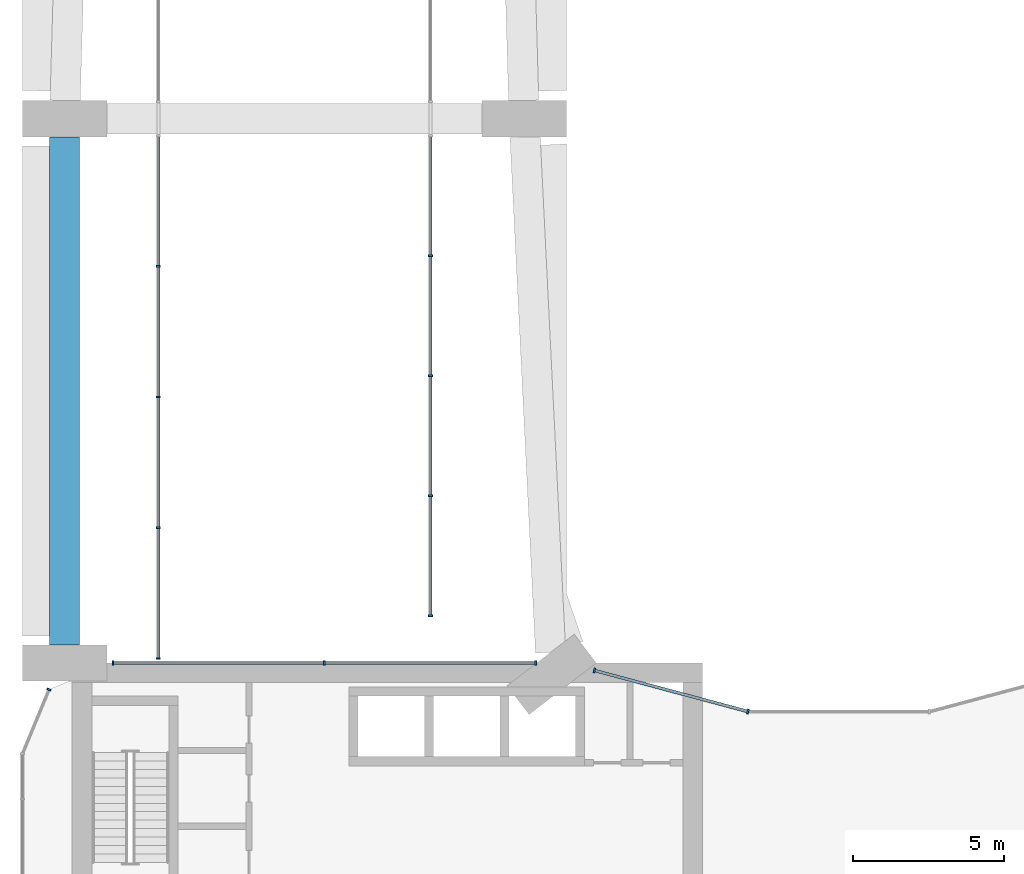
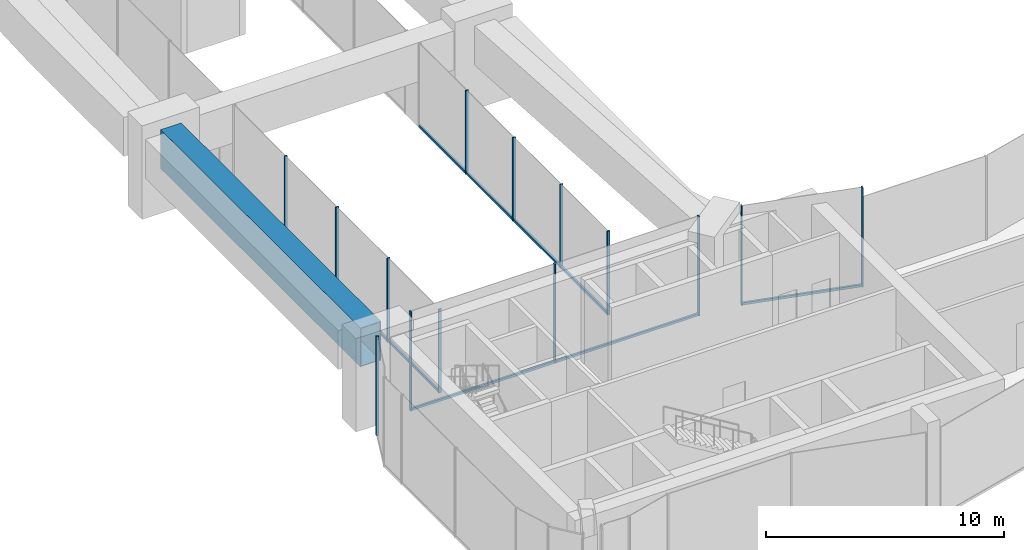
# One storey, part 4 of 13: 18 members, 1 beam, 5 elements without a shape of their own.
"""IFC4 building model written with IfcOpenShell, lengths in metres."""

import ifcopenshell
import ifcopenshell.guid

model = None  # the IFC model being written
_history = None  # IfcOwnerHistory: only IFC2X3 demands one
_inside = {}  # id of a spatial element -> (the spatial element, [elements in it])
_under = {}  # id of a project, library or spatial element -> (it, [spatial elements below it])
_declared = {}  # id of a project -> (the project, [libraries it declares])
_typed = {}  # id of a type object -> (the type object, [elements of that type])
_made_of = {}  # id of a material, layer set ... -> (it, [elements and type objects made of it])


def new_model(schema):
    """Start an empty IFC model of exactly this schema.

    Asked for "IFC4X3", IfcOpenShell would pick the latest addendum, in which some entities
    have other attributes; the version numbers below select the first issue.
    IFC2X3 requires an IfcOwnerHistory on every rooted entity: one is made here for all.
    """
    global model, _history
    if schema == "IFC4X3":
        model = ifcopenshell.file(schema_version=(4, 3, 0, 0))
    else:
        model = ifcopenshell.file(schema=schema)
    _inside.clear()
    _under.clear()
    _declared.clear()
    _typed.clear()
    _made_of.clear()
    _history = None
    if model.schema == "IFC2X3":
        org = make("IfcOrganization", Name="unknown")
        user = make(
            "IfcPersonAndOrganization",
            ThePerson=make("IfcPerson", FamilyName="unknown"),
            TheOrganization=org,
        )
        app = make(
            "IfcApplication",
            ApplicationDeveloper=org,
            Version="unknown",
            ApplicationFullName="unknown",
            ApplicationIdentifier="unknown",
        )
        _history = make(
            "IfcOwnerHistory",
            OwningUser=user,
            OwningApplication=app,
            ChangeAction="ADDED",
            CreationDate=0,
        )
    return model


def make(cls, **values):
    """One entity of the class cls with the attributes given. An attribute that is None is left unset."""
    return model.create_entity(
        cls, **{name: value for name, value in values.items() if value is not None}
    )


def rooted(cls, **values):
    """An entity with a GlobalId (a new one), such as an element, a storey or a relation."""
    return make(cls, GlobalId=ifcopenshell.guid.new(), OwnerHistory=_history, **values)


def si_unit(unit_type, name, prefix=None):
    """IfcSIUnit, for example si_unit("LENGTHUNIT", "METRE", prefix="MILLI")."""
    return make("IfcSIUnit", UnitType=unit_type, Prefix=prefix, Name=name)


def assignment(units):
    """IfcUnitAssignment: the units of a project."""
    return None if units is None else make("IfcUnitAssignment", Units=units)


def point(xyz):
    """IfcCartesianPoint."""
    return None if xyz is None else make("IfcCartesianPoint", Coordinates=xyz)


def direction(xyz):
    """IfcDirection."""
    return None if xyz is None else make("IfcDirection", DirectionRatios=xyz)


def frame(location, z_axis=None, x_axis=None):
    """IfcAxis2Placement3D, a coordinate frame: its origin and axes. An axis left out is left unset."""
    return make(
        "IfcAxis2Placement3D",
        Location=point(location),
        Axis=direction(z_axis),
        RefDirection=direction(x_axis),
    )


def frame_2d(location, x_axis=None):
    """IfcAxis2Placement2D, a coordinate frame in the plane: its origin and x axis."""
    return make(
        "IfcAxis2Placement2D", Location=point(location), RefDirection=direction(x_axis)
    )


def origin():
    """The frame at (0, 0, 0) with its axes left unset."""
    return frame((0.0, 0.0, 0.0))


def origin_2d():
    """The frame at (0, 0) in the plane with its x axis left unset."""
    return frame_2d((0.0, 0.0))


def place(relative_to, where):
    """IfcLocalPlacement: puts the frame where relative to a parent placement (None: the world)."""
    return make(
        "IfcLocalPlacement", PlacementRelTo=relative_to, RelativePlacement=where
    )


def context(
    kind, dimensions, precision=None, world=None, true_north=None, identifier=None
):
    """IfcGeometricRepresentationContext, for example the 3D "Model" context."""
    return make(
        "IfcGeometricRepresentationContext",
        ContextIdentifier=identifier,
        ContextType=kind,
        CoordinateSpaceDimension=dimensions,
        Precision=precision,
        WorldCoordinateSystem=world,
        TrueNorth=true_north,
    )


def subcontext(parent, identifier, kind, view, scale=None):
    """IfcGeometricRepresentationSubContext, for example "Body" below "Model"."""
    return make(
        "IfcGeometricRepresentationSubContext",
        ContextIdentifier=identifier,
        ContextType=kind,
        ParentContext=parent,
        TargetScale=scale,
        TargetView=view,
    )


def project(units=None, contexts=None):
    """IfcProject with its units and contexts."""
    return rooted(
        "IfcProject",
        Name="project",
        RepresentationContexts=contexts,
        UnitsInContext=assignment(units),
    )


def spatial(cls, under=None, at=None, **own):
    """A site, building, storey or space (cls), placed at a placement, below another one or the project."""
    s = rooted(cls, ObjectPlacement=at, **own)
    if under is not None:
        _under.setdefault(under.id(), (under, []))[1].append(s)
    return s


def profile(cls, at=None, kind="AREA", **sizes):
    """A parametric profile (cls). Its sizes go by their IFC names, for example OverallWidth=200.0."""
    return make(cls, ProfileType=kind, Position=at, **sizes)


def rectangle(**sizes):
    """IfcRectangleProfileDef."""
    return profile("IfcRectangleProfileDef", **sizes)


def hollow_rectangle(**sizes):
    """IfcRectangleHollowProfileDef."""
    return profile("IfcRectangleHollowProfileDef", **sizes)


def extrude(swept, where, along, depth):
    """IfcExtrudedAreaSolid: the profile swept, set in the frame where, extruded along a direction by depth."""
    return make(
        "IfcExtrudedAreaSolid",
        SweptArea=swept,
        Position=where,
        ExtrudedDirection=direction(along),
        Depth=depth,
    )


def shape(context_of_items, identifier, shape_type, items):
    """IfcShapeRepresentation: the items that make up one representation, for example the "Body"."""
    return make(
        "IfcShapeRepresentation",
        ContextOfItems=context_of_items,
        RepresentationIdentifier=identifier,
        RepresentationType=shape_type,
        Items=items,
    )


def material(Name=None, Category=None):
    """IfcMaterial."""
    return make("IfcMaterial", Name=Name, Category=Category)


def layer(
    of_material, thickness, ventilated=None, Name=None, Category=None, Priority=None
):
    """IfcMaterialLayer: one layer of a wall or slab, of a material (None: an air gap)."""
    return make(
        "IfcMaterialLayer",
        Material=of_material,
        LayerThickness=thickness,
        IsVentilated=ventilated,
        Name=Name,
        Category=Category,
        Priority=Priority,
    )


def layer_set(layers, Name=None):
    """IfcMaterialLayerSet."""
    return make("IfcMaterialLayerSet", MaterialLayers=layers, LayerSetName=Name)


def material_profile(
    of_material, cross_section, Name=None, Category=None, Priority=None
):
    """IfcMaterialProfile: a cross section and its material."""
    return make(
        "IfcMaterialProfile",
        Name=Name,
        Material=of_material,
        Profile=cross_section,
        Priority=Priority,
        Category=Category,
    )


def profile_set(profiles, Name=None, composite=None):
    """IfcMaterialProfileSet."""
    return make(
        "IfcMaterialProfileSet",
        Name=Name,
        MaterialProfiles=profiles,
        CompositeProfile=composite,
    )


def made_of(thing, what):
    """Note that an element or type object is made of a material, layer set ...; save() writes the relation."""
    if what is not None:
        _made_of.setdefault(what.id(), (what, []))[1].append(thing)
    return thing


def type_object(cls, material=None, **own):
    """A type object (cls), such as IfcWallType, which elements share."""
    return made_of(rooted(cls, **own), material)


def element(
    cls,
    number,
    at=None,
    inside=None,
    cuts=None,
    type_object=None,
    material=None,
    context=None,
    identifier="Body",
    shape_type=None,
    held_by="IfcProductDefinitionShape",
    body=None,
    shapes=None,
    **own,
):
    """One element of the class cls, such as IfcWall. Its Tag is "e" and its number.

    at: its placement. inside: the storey or other place that contains it. cuts: it is an
    opening in that element (IfcRelVoidsElement). A single representation is given by context,
    identifier, shape_type and body (its items); several are given by shapes. held_by: the class
    of the entity that holds the representations. save() writes the other relations.
    """
    e = rooted(cls, Tag="e%d" % number, ObjectPlacement=at, **own)
    if body is not None:
        shapes = [shape(context, identifier, shape_type, body)]
    if shapes is not None:
        e.Representation = make(held_by, Representations=shapes)
    if inside is not None:
        _inside.setdefault(inside.id(), (inside, []))[1].append(e)
    if cuts is not None:
        rooted(
            "IfcRelVoidsElement", RelatingBuildingElement=cuts, RelatedOpeningElement=e
        )
    if type_object is not None:
        _typed.setdefault(type_object.id(), (type_object, []))[1].append(e)
    return made_of(e, material)


def aggregate(whole, parts):
    """IfcRelAggregates: a whole, such as a stair, and the parts it consists of."""
    return rooted("IfcRelAggregates", RelatingObject=whole, RelatedObjects=parts)


def save(model, path):
    """Write the relations noted so far, then the file.

    IfcRelAggregates (storeys below a building ...), IfcRelContainedInSpatialStructure (elements
    in a storey), IfcRelDefinesByType, IfcRelAssociatesMaterial and IfcRelDeclares: one each for
    every whole, place, type object, material and project.
    """
    for whole, parts in _under.values():
        aggregate(whole, parts)
    for where, things in _inside.values():
        rooted(
            "IfcRelContainedInSpatialStructure",
            RelatedElements=things,
            RelatingStructure=where,
        )
    for kind, things in _typed.values():
        rooted("IfcRelDefinesByType", RelatedObjects=things, RelatingType=kind)
    for what, things in _made_of.values():
        rooted("IfcRelAssociatesMaterial", RelatedObjects=things, RelatingMaterial=what)
    for by, libraries in _declared.values():
        rooted("IfcRelDeclares", RelatingContext=by, RelatedDefinitions=libraries)
    model.write(path)


model = new_model("IFC4")

# Units and contexts
model_context = context("Model", 3, precision=1e-05, world=origin(), true_north=direction((0.0, 1.0)))
body_context = subcontext(model_context, "Body", "Model", "MODEL_VIEW")
ifc_project = project(units=[si_unit("LENGTHUNIT", "METRE"), si_unit("AREAUNIT", "SQUARE_METRE"), si_unit("VOLUMEUNIT", "CUBIC_METRE"), si_unit("PLANEANGLEUNIT", "RADIAN"), si_unit("MASSUNIT", "GRAM", prefix="KILO")], contexts=[model_context])

# Site, building, storey
site_placement = place(None, origin())
site = spatial("IfcSite", under=ifc_project, at=site_placement, CompositionType="ELEMENT")
building_placement = place(site_placement, origin())
building = spatial("IfcBuilding", under=site, at=building_placement, Name="Plateau Cross Towers", CompositionType="ELEMENT")
storey_placement = place(building_placement, frame((0.0, 0.0, 134.60009765625)))
storey = spatial("IfcBuildingStorey", under=building, at=storey_placement, Name="L34", CompositionType="ELEMENT", Elevation=134.60009765625)

# Curtain wall, members
ifc_material_1 = material(Name="Dark low-iron glass", Category="glass")
ifc_layer_1 = layer(ifc_material_1, 0.239990234375)
ifc_layer_set_1 = layer_set([ifc_layer_1], Name="Dark low-iron glass")
curtain_wall_type_1 = type_object("IfcCurtainWallType", Name="Curtain wall flush unitised CW-B", PredefinedType="NOTDEFINED", material=ifc_layer_set_1)
curtain_wall_1_placement = place(storey_placement, origin())
curtain_wall_1 = element("IfcCurtainWall", 1, at=curtain_wall_1_placement, inside=storey, type_object=curtain_wall_type_1, Name="ENV/A/L34/A170_180", PredefinedType="NOTDEFINED")
ifc_material_2 = material(Name="Black anodised aluminium", Category="aluminium")
ifc_material_profile_1 = material_profile(ifc_material_2, rectangle(XDim=0.06005859375, YDim=0.139892578125, at=origin_2d()), Name="MULLION 60x140")
ifc_profile_set_1 = profile_set([ifc_material_profile_1], Name="Black anodised aluminium")
member_type_1 = type_object("IfcMemberType", Name="Mullion 60x140 flush unitised", PredefinedType="MULLION", material=ifc_profile_set_1)
member_1_placement = place(storey_placement, frame((16.981689453125, 18.0, -0.300048828125), z_axis=(0.0, 0.0, 1.0), x_axis=(-1.0, 0.0, 0.0)))
member_1 = element("IfcMember", 2, at=member_1_placement, type_object=member_type_1, Name="CW-B mullion 1", PredefinedType="MULLION", context=body_context, shape_type="SweptSolid", body=[
    extrude(rectangle(XDim=0.06005859375, YDim=0.139892578125, at=origin_2d()), origin(), (0.0, 0.0, 1.0), 5.099853515625),
])
member_2_placement = place(storey_placement, frame((9.99072265625, 18.0, -0.300048828125), z_axis=(0.0, 0.0, 1.0), x_axis=(-1.0, 0.0, 0.0)))
member_2 = element("IfcMember", 3, at=member_2_placement, type_object=member_type_1, Name="CW-B mullion 2", PredefinedType="MULLION", context=body_context, shape_type="SweptSolid", body=[
    extrude(rectangle(XDim=0.06005859375, YDim=0.139892578125, at=origin_2d()), origin(), (0.0, 0.0, 1.0), 5.099853515625),
])
member_3_placement = place(storey_placement, frame((3.0, 18.0, -0.300048828125), z_axis=(0.0, 0.0, 1.0), x_axis=(-1.0, 0.0, 0.0)))
member_3 = element("IfcMember", 4, at=member_3_placement, type_object=member_type_1, Name="CW-B mullion 3", PredefinedType="MULLION", context=body_context, shape_type="SweptSolid", body=[
    extrude(rectangle(XDim=0.06005859375, YDim=0.139892578125, at=origin_2d()), origin(), (0.0, 0.0, 1.0), 5.099853515625),
])

# Curtain wall, member
curtain_wall_2_placement = place(storey_placement, origin())
curtain_wall_2 = element("IfcCurtainWall", 5, at=curtain_wall_2_placement, inside=storey, type_object=curtain_wall_type_1, Name="ENV/A/L34/A9_171", PredefinedType="NOTDEFINED")
member_4_placement = place(storey_placement, frame((0.878662109375, 17.121337890625, -0.300048828125), z_axis=(0.0, 0.0, 1.0), x_axis=(-0.382683612978, -0.923879457699, 0.0)))
member_4 = element("IfcMember", 6, at=member_4_placement, type_object=member_type_1, Name="CW-B mullion 1", PredefinedType="MULLION", context=body_context, shape_type="SweptSolid", body=[
    extrude(rectangle(XDim=0.06005859375, YDim=0.139892578125, at=origin_2d()), origin(), (0.0, 0.0, 1.0), 5.099853515625),
])
aggregate(curtain_wall_2, [member_4])

# Curtain wall, members
curtain_wall_3_placement = place(storey_placement, origin())
curtain_wall_3 = element("IfcCurtainWall", 7, at=curtain_wall_3_placement, inside=storey, type_object=curtain_wall_type_1, Name="ENV/A/L34/sky135_354_135_196", PredefinedType="NOTDEFINED")
member_5_placement = place(storey_placement, frame((13.5, 31.4697265625, 0.0), z_axis=(0.0, 0.0, 1.0), x_axis=(0.0, -1.0, 0.0)))
member_5 = element("IfcMember", 8, at=member_5_placement, type_object=member_type_1, Name="CW-B mullion 2", PredefinedType="MULLION", context=body_context, shape_type="SweptSolid", body=[
    extrude(rectangle(XDim=0.06005859375, YDim=0.139892578125, at=origin_2d()), origin(), (0.0, 0.0, 1.0), 4.2998046875),
])
member_6_placement = place(storey_placement, frame((13.5, 27.49951171875, 0.0), z_axis=(0.0, 0.0, 1.0), x_axis=(0.0, -1.0, 0.0)))
member_6 = element("IfcMember", 9, at=member_6_placement, type_object=member_type_1, Name="CW-B mullion 3", PredefinedType="MULLION", context=body_context, shape_type="SweptSolid", body=[
    extrude(rectangle(XDim=0.06005859375, YDim=0.139892578125, at=origin_2d()), origin(), (0.0, 0.0, 1.0), 4.2998046875),
])
member_7_placement = place(storey_placement, frame((13.5, 23.529541015625, 0.0), z_axis=(0.0, 0.0, 1.0), x_axis=(0.0, -1.0, 0.0)))
member_7 = element("IfcMember", 10, at=member_7_placement, type_object=member_type_1, Name="CW-B mullion 4", PredefinedType="MULLION", context=body_context, shape_type="SweptSolid", body=[
    extrude(rectangle(XDim=0.06005859375, YDim=0.139892578125, at=origin_2d()), origin(), (0.0, 0.0, 1.0), 4.2998046875),
])
member_8_placement = place(storey_placement, frame((13.5, 19.559326171875, 0.0), z_axis=(0.0, 0.0, 1.0), x_axis=(0.0, -1.0, 0.0)))
member_8 = element("IfcMember", 11, at=member_8_placement, type_object=member_type_1, Name="CW-B mullion 5", PredefinedType="MULLION", context=body_context, shape_type="SweptSolid", body=[
    extrude(rectangle(XDim=0.06005859375, YDim=0.139892578125, at=origin_2d()), origin(), (0.0, 0.0, 1.0), 4.2998046875),
])

curtain_wall_4_placement = place(storey_placement, origin())
curtain_wall_4 = element("IfcCurtainWall", 12, at=curtain_wall_4_placement, inside=storey, type_object=curtain_wall_type_1, Name="ENV/A/L34/sky45_182_45_354", PredefinedType="NOTDEFINED")
member_9_placement = place(storey_placement, frame((4.5, 18.14990234375, 0.0), z_axis=(0.0, 0.0, 1.0), x_axis=(0.0, 1.0, 0.0)))
member_9 = element("IfcMember", 13, at=member_9_placement, type_object=member_type_1, Name="CW-B mullion 1", PredefinedType="MULLION", context=body_context, shape_type="SweptSolid", body=[
    extrude(rectangle(XDim=0.06005859375, YDim=0.139892578125, at=origin_2d()), origin(), (0.0, 0.0, 1.0), 4.2998046875),
])
member_10_placement = place(storey_placement, frame((4.5, 22.472412109375, 0.0), z_axis=(0.0, 0.0, 1.0), x_axis=(0.0, 1.0, 0.0)))
member_10 = element("IfcMember", 14, at=member_10_placement, type_object=member_type_1, Name="CW-B mullion 2", PredefinedType="MULLION", context=body_context, shape_type="SweptSolid", body=[
    extrude(rectangle(XDim=0.06005859375, YDim=0.139892578125, at=origin_2d()), origin(), (0.0, 0.0, 1.0), 4.2998046875),
])
member_11_placement = place(storey_placement, frame((4.5, 26.794921875, 0.0), z_axis=(0.0, 0.0, 1.0), x_axis=(0.0, 1.0, 0.0)))
member_11 = element("IfcMember", 15, at=member_11_placement, type_object=member_type_1, Name="CW-B mullion 3", PredefinedType="MULLION", context=body_context, shape_type="SweptSolid", body=[
    extrude(rectangle(XDim=0.06005859375, YDim=0.139892578125, at=origin_2d()), origin(), (0.0, 0.0, 1.0), 4.2998046875),
])
member_12_placement = place(storey_placement, frame((4.5, 31.117431640625, 0.0), z_axis=(0.0, 0.0, 1.0), x_axis=(0.0, 1.0, 0.0)))
member_12 = element("IfcMember", 16, at=member_12_placement, type_object=member_type_1, Name="CW-B mullion 4", PredefinedType="MULLION", context=body_context, shape_type="SweptSolid", body=[
    extrude(rectangle(XDim=0.06005859375, YDim=0.139892578125, at=origin_2d()), origin(), (0.0, 0.0, 1.0), 4.2998046875),
])

ifc_layer_2 = layer(ifc_material_1, 0.260009765625)
ifc_layer_set_2 = layer_set([ifc_layer_2], Name="Dark low-iron glass")
curtain_wall_type_2 = type_object("IfcCurtainWallType", Name="Curtain wall fluted unitised CW-A", PredefinedType="NOTDEFINED", material=ifc_layer_set_2)
curtain_wall_5_placement = place(storey_placement, origin())
curtain_wall_5 = element("IfcCurtainWall", 17, at=curtain_wall_5_placement, inside=storey, type_object=curtain_wall_type_2, Name="ENV/A/L34/A240_164", PredefinedType="NOTDEFINED")
ifc_material_profile_2 = material_profile(ifc_material_2, rectangle(XDim=0.06005859375, YDim=0.159912109375, at=origin_2d()), Name="MULLION 60x160")
ifc_profile_set_2 = profile_set([ifc_material_profile_2], Name="Black anodised aluminium")
member_type_2 = type_object("IfcMemberType", Name="Mullion 60x160 fluted unitised", PredefinedType="MULLION", material=ifc_profile_set_2)
member_13_placement = place(storey_placement, frame((24.0, 16.39306640625, -0.300048828125), z_axis=(0.0, 0.0, 1.0), x_axis=(-0.965957983404, 0.258699003279, 0.0)))
member_13 = element("IfcMember", 18, at=member_13_placement, type_object=member_type_2, Name="CW-A mullion 1", PredefinedType="MULLION", context=body_context, shape_type="SweptSolid", body=[
    extrude(rectangle(XDim=0.06005859375, YDim=0.159912109375, at=origin_2d()), origin(), (0.0, 0.0, 1.0), 5.099853515625),
])
member_14_placement = place(storey_placement, frame((18.923095703125, 17.752685546875, -0.300048828125), z_axis=(0.0, 0.0, 1.0), x_axis=(-0.965957983404, 0.258699003279, 0.0)))
member_14 = element("IfcMember", 19, at=member_14_placement, type_object=member_type_2, Name="CW-A mullion 2", PredefinedType="MULLION", context=body_context, shape_type="SweptSolid", body=[
    extrude(rectangle(XDim=0.06005859375, YDim=0.159912109375, at=origin_2d()), origin(), (0.0, 0.0, 1.0), 5.099853515625),
])

# Beam
ifc_material_3 = material(Name="Steel S355", Category="steel")
ifc_material_profile_3 = material_profile(ifc_material_3, hollow_rectangle(XDim=1.0, YDim=2.0, WallThickness=0.0400390625, at=origin_2d()), Name="BOX 2000x1000x40")
ifc_profile_set_3 = profile_set([ifc_material_profile_3], Name="Steel S355")
beam_type = type_object("IfcBeamType", Name="Sky garden fascia girder BOX 2000x1000x40", PredefinedType="BEAM", material=ifc_profile_set_3)
beam_placement = place(storey_placement, frame((1.39990234375, 18.60009765625, 3.2998046875), z_axis=(0.0, 1.0, 0.0), x_axis=(-1.0, 0.0, 0.0)))
element("IfcBeam", 20, at=beam_placement, inside=storey, type_object=beam_type, Name="FT-W1-T1", PredefinedType="BEAM", context=body_context, shape_type="SweptSolid", body=[
    extrude(hollow_rectangle(XDim=1.0, YDim=2.0, WallThickness=0.0400390625, at=origin_2d()), origin(), (0.0, 0.0, 1.0), 16.7998046875),
])

# Member
ifc_material_profile_4 = material_profile(ifc_material_2, rectangle(XDim=0.10009765625, YDim=0.1201171875, at=origin_2d()), Name="TRANSOM 100x120")
ifc_profile_set_4 = profile_set([ifc_material_profile_4], Name="Black anodised aluminium")
member_type_3 = type_object("IfcMemberType", Name="Transom 100x120 flush unitised", PredefinedType="USERDEFINED", material=ifc_profile_set_4)
member_15_placement = place(storey_placement, frame((16.981689453125, 18.0, -0.239990234375), z_axis=(-1.0, 0.0, 0.0), x_axis=(0.0, -1.0, 0.0)))
member_15 = element("IfcMember", 21, at=member_15_placement, type_object=member_type_3, Name="CW-B transom", ObjectType="TRANSOM", PredefinedType="USERDEFINED", context=body_context, shape_type="SweptSolid", body=[
    extrude(rectangle(XDim=0.10009765625, YDim=0.1201171875, at=origin_2d()), origin(), (0.0, 0.0, 1.0), 13.981689453125),
])

aggregate(curtain_wall_1, [member_1, member_2, member_3, member_15])

member_16_placement = place(storey_placement, frame((13.5, 35.43994140625, 0.059814453125), z_axis=(0.0, -1.0, 0.0), x_axis=(1.0, 0.0, 0.0)))
member_16 = element("IfcMember", 22, at=member_16_placement, type_object=member_type_3, Name="CW-B transom", ObjectType="TRANSOM", PredefinedType="USERDEFINED", context=body_context, shape_type="SweptSolid", body=[
    extrude(rectangle(XDim=0.10009765625, YDim=0.1201171875, at=origin_2d()), origin(), (0.0, 0.0, 1.0), 15.880615234375),
])

aggregate(curtain_wall_3, [member_5, member_6, member_7, member_8, member_16])

member_17_placement = place(storey_placement, frame((4.5, 18.14990234375, 0.059814453125), z_axis=(0.0, 1.0, 0.0), x_axis=(-1.0, 0.0, 0.0)))
member_17 = element("IfcMember", 23, at=member_17_placement, type_object=member_type_3, Name="CW-B transom", ObjectType="TRANSOM", PredefinedType="USERDEFINED", context=body_context, shape_type="SweptSolid", body=[
    extrude(rectangle(XDim=0.10009765625, YDim=0.1201171875, at=origin_2d()), origin(), (0.0, 0.0, 1.0), 17.2900390625),
])

aggregate(curtain_wall_4, [member_9, member_10, member_11, member_12, member_17])

ifc_material_profile_5 = material_profile(ifc_material_2, rectangle(XDim=0.10009765625, YDim=0.1201171875, at=origin_2d()), Name="TRANSOM 100x120")
ifc_profile_set_5 = profile_set([ifc_material_profile_5], Name="Black anodised aluminium")
member_type_4 = type_object("IfcMemberType", Name="Transom 100x120 fluted unitised", PredefinedType="USERDEFINED", material=ifc_profile_set_5)
member_18_placement = place(storey_placement, frame((24.0, 16.39306640625, -0.239990234375), z_axis=(-0.965960696348, 0.258688873189, 0.0), x_axis=(-0.258688873189, -0.965960696348, 0.0)))
member_18 = element("IfcMember", 24, at=member_18_placement, type_object=member_type_4, Name="CW-A transom", ObjectType="TRANSOM", PredefinedType="USERDEFINED", context=body_context, shape_type="SweptSolid", body=[
    extrude(rectangle(XDim=0.10009765625, YDim=0.1201171875, at=origin_2d()), origin(), (0.0, 0.0, 1.0), 5.255859375),
])

aggregate(curtain_wall_5, [member_13, member_14, member_18])

save(model, "model.ifc")
